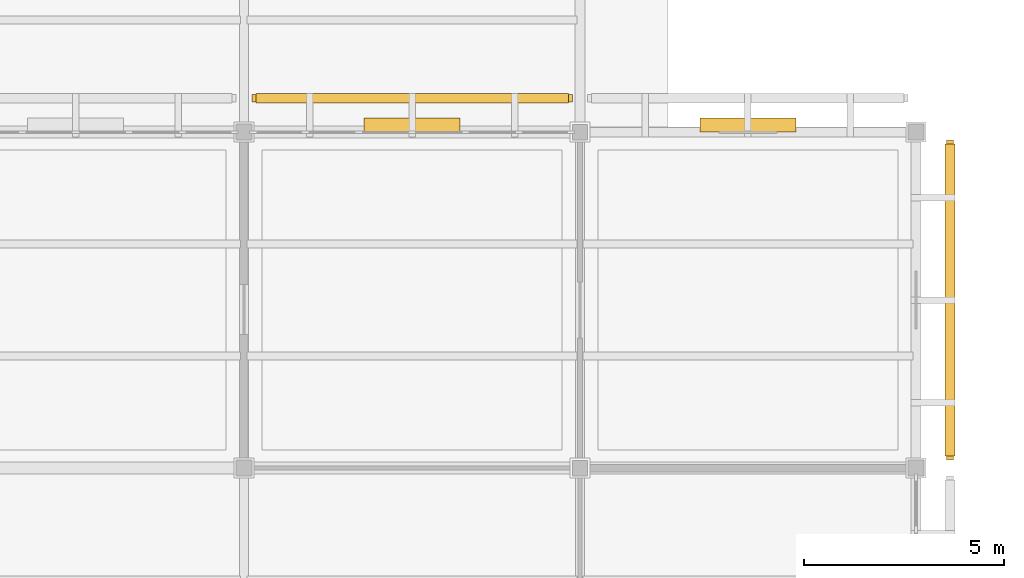
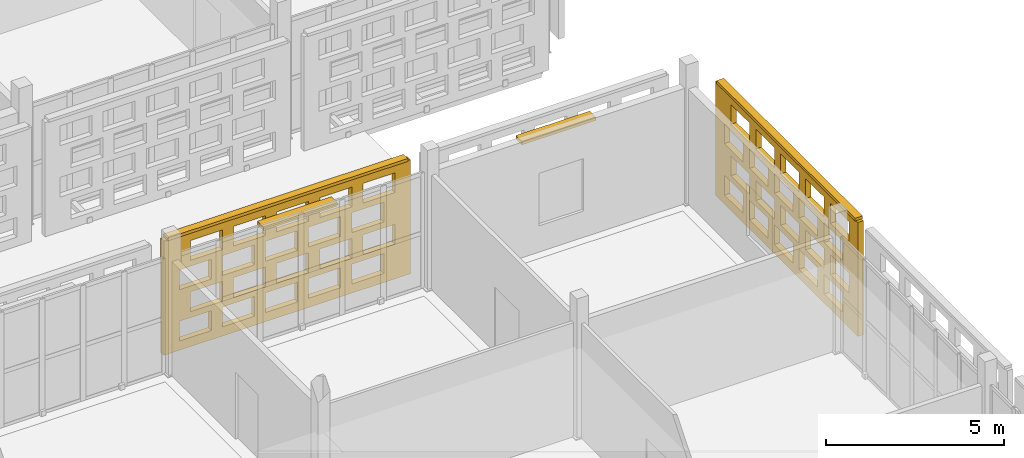
# One storey, part 193 of 203: 4 shading devices, 2 coverings, 40 openings.
"""IFC4 building model written with IfcOpenShell, lengths in metres."""

from ifc_helpers import new_model, si_unit, direction, frame, frame_2d, origin, origin_2d, place, context, subcontext, project, spatial, rectangle, extrude, material, layer, layer_set, type_object, element, save


model = new_model("IFC4")

# Units and contexts
model_context = context("Model", 3, precision=1e-05, world=origin(), true_north=direction((0.0, 1.0)))
body_context = subcontext(model_context, "Body", "Model", "MODEL_VIEW")
ifc_project = project(units=[si_unit("LENGTHUNIT", "METRE"), si_unit("AREAUNIT", "SQUARE_METRE"), si_unit("VOLUMEUNIT", "CUBIC_METRE"), si_unit("PLANEANGLEUNIT", "RADIAN"), si_unit("MASSUNIT", "GRAM", prefix="KILO")], contexts=[model_context])

# Site, building, storey
site_placement = place(None, origin())
site = spatial("IfcSite", under=ifc_project, at=site_placement, CompositionType="ELEMENT")
building_placement = place(site_placement, origin())
building = spatial("IfcBuilding", under=site, at=building_placement, Name="Varnapada Polytechnic", CompositionType="ELEMENT")
storey_placement = place(building_placement, frame((0.0, 0.0, 4.800048828125)))
storey = spatial("IfcBuildingStorey", under=building, at=storey_placement, Name="L01", CompositionType="ELEMENT", Elevation=4.800048828125)

# Shading devices
ifc_material_1 = material(Name="Anodised aluminium", Category="aluminium")
ifc_layer_1 = layer(ifc_material_1, 0.35009765625)
ifc_layer_set_1 = layer_set([ifc_layer_1], Name="Anodised aluminium")
shading_device_type_1 = type_object("IfcShadingDeviceType", Name="Solar Louvre LVR-01", PredefinedType="JALOUSIE", material=ifc_layer_set_1)
for number, where, z_axis, x_axis, name in (
    (1, (163.804931640625, 50.580078125, 3.760009765625), (0.0, 0.0, 1.0), (1.0, 0.0, 0.0), "L01 aluminium sun louvre 133"),
    (2, (172.195068359375, 50.580078125, 3.760009765625), (0.0, 0.0, 1.0), (1.0, 0.0, 0.0), "L01 aluminium sun louvre 142"),
):
    element("IfcShadingDevice", number, at=place(storey_placement, frame(where, z_axis=z_axis, x_axis=x_axis)), inside=storey, type_object=shading_device_type_1, Name=name, PredefinedType="JALOUSIE", context=body_context, shape_type="SweptSolid", body=[
        extrude(rectangle(XDim=2.39990234375, YDim=0.340087890625, at=origin_2d()), origin(), (0.0, 0.0, 1.0), 0.1201171875),
    ])

# Covering, openings
ifc_material_2 = material(Name="Earth-toned architectural terracotta screen block", Category="masonry")
ifc_layer_2 = layer(ifc_material_2, 0.1201171875)
ifc_layer_set_2 = layer_set([ifc_layer_2], Name="Earth-toned architectural terracotta screen block")
covering_type = type_object("IfcCoveringType", Name="Terracotta Screen Cladding CLD-01", PredefinedType="CLADDING", material=ifc_layer_set_2)
covering_1_placement = place(storey_placement, frame((159.800048828125, 51.25, 0.0), z_axis=(0.0, 0.0, 1.0), x_axis=(1.0, 0.0, 0.0)))
covering_1 = element("IfcCovering", 3, at=covering_1_placement, inside=storey, type_object=covering_type, Name="L01 perforated terracotta block screen (133)", PredefinedType="CLADDING", context=body_context, shape_type="SweptSolid", body=[
    extrude(rectangle(XDim=8.010009765625, YDim=0.179931640625, at=frame_2d((4.0048828125, 0.0))), origin(), (0.0, 0.0, 1.0), 3.919921875),
])
opening_1_placement = place(covering_1_placement, frame((0.5048828125, 0.0, 0.313720703125)))
element("IfcOpeningElement", 4, at=opening_1_placement, cuts=covering_1, Name="Screen perforation TBS-L01-132.1", PredefinedType="OPENING", context=body_context, shape_type="SweptSolid", body=[
    extrude(rectangle(XDim=1.0400390625, YDim=0.679931640625, at=frame_2d((0.52001953125, 0.33984375))), frame((0.0, 0.099853515625, 0.0), z_axis=(0.0, -1.0, 0.0), x_axis=(1.0, 0.0, 0.0)), (0.0, 0.0, 1.0), 0.199951171875),
])
opening_2_placement = place(covering_1_placement, frame((1.905029296875, 0.0, 0.313720703125)))
element("IfcOpeningElement", 5, at=opening_2_placement, cuts=covering_1, Name="Screen perforation TBS-L01-132.2", PredefinedType="OPENING", context=body_context, shape_type="SweptSolid", body=[
    extrude(rectangle(XDim=1.0400390625, YDim=0.679931640625, at=frame_2d((0.52001953125, 0.33984375))), frame((0.0, 0.099853515625, 0.0), z_axis=(0.0, -1.0, 0.0), x_axis=(1.0, 0.0, 0.0)), (0.0, 0.0, 1.0), 0.199951171875),
])
opening_3_placement = place(covering_1_placement, frame((3.304931640625, 0.0, 0.313720703125)))
element("IfcOpeningElement", 6, at=opening_3_placement, cuts=covering_1, Name="Screen perforation TBS-L01-132.3", PredefinedType="OPENING", context=body_context, shape_type="SweptSolid", body=[
    extrude(rectangle(XDim=1.0400390625, YDim=0.679931640625, at=frame_2d((0.52001953125, 0.33984375))), frame((0.0, 0.099853515625, 0.0), z_axis=(0.0, -1.0, 0.0), x_axis=(1.0, 0.0, 0.0)), (0.0, 0.0, 1.0), 0.199951171875),
])
opening_4_placement = place(covering_1_placement, frame((4.705078125, 0.0, 0.313720703125)))
element("IfcOpeningElement", 7, at=opening_4_placement, cuts=covering_1, Name="Screen perforation TBS-L01-132.4", PredefinedType="OPENING", context=body_context, shape_type="SweptSolid", body=[
    extrude(rectangle(XDim=1.0400390625, YDim=0.679931640625, at=frame_2d((0.52001953125, 0.33984375))), frame((0.0, 0.099853515625, 0.0), z_axis=(0.0, -1.0, 0.0), x_axis=(1.0, 0.0, 0.0)), (0.0, 0.0, 1.0), 0.199951171875),
])
opening_5_placement = place(covering_1_placement, frame((6.10498046875, 0.0, 0.313720703125)))
element("IfcOpeningElement", 8, at=opening_5_placement, cuts=covering_1, Name="Screen perforation TBS-L01-132.5", PredefinedType="OPENING", context=body_context, shape_type="SweptSolid", body=[
    extrude(rectangle(XDim=1.0400390625, YDim=0.679931640625, at=frame_2d((0.52001953125, 0.33984375))), frame((0.0, 0.099853515625, 0.0), z_axis=(0.0, -1.0, 0.0), x_axis=(1.0, 0.0, 0.0)), (0.0, 0.0, 1.0), 0.199951171875),
])
opening_6_placement = place(covering_1_placement, frame((0.864990234375, 0.0, 1.195556640625)))
element("IfcOpeningElement", 9, at=opening_6_placement, cuts=covering_1, Name="Screen perforation TBS-L01-132.6", PredefinedType="OPENING", context=body_context, shape_type="SweptSolid", body=[
    extrude(rectangle(XDim=1.0400390625, YDim=0.679931640625, at=frame_2d((0.52001953125, 0.33984375))), frame((0.0, 0.099853515625, 0.0), z_axis=(0.0, -1.0, 0.0), x_axis=(1.0, 0.0, 0.0)), (0.0, 0.0, 1.0), 0.199951171875),
])
opening_7_placement = place(covering_1_placement, frame((2.264892578125, 0.0, 1.195556640625)))
element("IfcOpeningElement", 10, at=opening_7_placement, cuts=covering_1, Name="Screen perforation TBS-L01-132.7", PredefinedType="OPENING", context=body_context, shape_type="SweptSolid", body=[
    extrude(rectangle(XDim=1.0400390625, YDim=0.679931640625, at=frame_2d((0.52001953125, 0.33984375))), frame((0.0, 0.099853515625, 0.0), z_axis=(0.0, -1.0, 0.0), x_axis=(1.0, 0.0, 0.0)), (0.0, 0.0, 1.0), 0.199951171875),
])
opening_8_placement = place(covering_1_placement, frame((3.6650390625, 0.0, 1.195556640625)))
element("IfcOpeningElement", 11, at=opening_8_placement, cuts=covering_1, Name="Screen perforation TBS-L01-132.8", PredefinedType="OPENING", context=body_context, shape_type="SweptSolid", body=[
    extrude(rectangle(XDim=1.0400390625, YDim=0.679931640625, at=frame_2d((0.52001953125, 0.33984375))), frame((0.0, 0.099853515625, 0.0), z_axis=(0.0, -1.0, 0.0), x_axis=(1.0, 0.0, 0.0)), (0.0, 0.0, 1.0), 0.199951171875),
])
opening_9_placement = place(covering_1_placement, frame((5.06494140625, 0.0, 1.195556640625)))
element("IfcOpeningElement", 12, at=opening_9_placement, cuts=covering_1, Name="Screen perforation TBS-L01-132.9", PredefinedType="OPENING", context=body_context, shape_type="SweptSolid", body=[
    extrude(rectangle(XDim=1.0400390625, YDim=0.679931640625, at=frame_2d((0.52001953125, 0.33984375))), frame((0.0, 0.099853515625, 0.0), z_axis=(0.0, -1.0, 0.0), x_axis=(1.0, 0.0, 0.0)), (0.0, 0.0, 1.0), 0.199951171875),
])
opening_10_placement = place(covering_1_placement, frame((6.465087890625, 0.0, 1.195556640625)))
element("IfcOpeningElement", 13, at=opening_10_placement, cuts=covering_1, Name="Screen perforation TBS-L01-132.10", PredefinedType="OPENING", context=body_context, shape_type="SweptSolid", body=[
    extrude(rectangle(XDim=1.0400390625, YDim=0.679931640625, at=frame_2d((0.52001953125, 0.33984375))), frame((0.0, 0.099853515625, 0.0), z_axis=(0.0, -1.0, 0.0), x_axis=(1.0, 0.0, 0.0)), (0.0, 0.0, 1.0), 0.199951171875),
])
opening_11_placement = place(covering_1_placement, frame((0.5048828125, 0.0, 2.07763671875)))
element("IfcOpeningElement", 14, at=opening_11_placement, cuts=covering_1, Name="Screen perforation TBS-L01-132.11", PredefinedType="OPENING", context=body_context, shape_type="SweptSolid", body=[
    extrude(rectangle(XDim=1.0400390625, YDim=0.679931640625, at=frame_2d((0.52001953125, 0.33984375))), frame((0.0, 0.099853515625, 0.0), z_axis=(0.0, -1.0, 0.0), x_axis=(1.0, 0.0, 0.0)), (0.0, 0.0, 1.0), 0.199951171875),
])
opening_12_placement = place(covering_1_placement, frame((1.905029296875, 0.0, 2.07763671875)))
element("IfcOpeningElement", 15, at=opening_12_placement, cuts=covering_1, Name="Screen perforation TBS-L01-132.12", PredefinedType="OPENING", context=body_context, shape_type="SweptSolid", body=[
    extrude(rectangle(XDim=1.0400390625, YDim=0.679931640625, at=frame_2d((0.52001953125, 0.33984375))), frame((0.0, 0.099853515625, 0.0), z_axis=(0.0, -1.0, 0.0), x_axis=(1.0, 0.0, 0.0)), (0.0, 0.0, 1.0), 0.199951171875),
])
opening_13_placement = place(covering_1_placement, frame((3.304931640625, 0.0, 2.07763671875)))
element("IfcOpeningElement", 16, at=opening_13_placement, cuts=covering_1, Name="Screen perforation TBS-L01-132.13", PredefinedType="OPENING", context=body_context, shape_type="SweptSolid", body=[
    extrude(rectangle(XDim=1.0400390625, YDim=0.679931640625, at=frame_2d((0.52001953125, 0.33984375))), frame((0.0, 0.099853515625, 0.0), z_axis=(0.0, -1.0, 0.0), x_axis=(1.0, 0.0, 0.0)), (0.0, 0.0, 1.0), 0.199951171875),
])
opening_14_placement = place(covering_1_placement, frame((4.705078125, 0.0, 2.07763671875)))
element("IfcOpeningElement", 17, at=opening_14_placement, cuts=covering_1, Name="Screen perforation TBS-L01-132.14", PredefinedType="OPENING", context=body_context, shape_type="SweptSolid", body=[
    extrude(rectangle(XDim=1.0400390625, YDim=0.679931640625, at=frame_2d((0.52001953125, 0.33984375))), frame((0.0, 0.099853515625, 0.0), z_axis=(0.0, -1.0, 0.0), x_axis=(1.0, 0.0, 0.0)), (0.0, 0.0, 1.0), 0.199951171875),
])
opening_15_placement = place(covering_1_placement, frame((6.10498046875, 0.0, 2.07763671875)))
element("IfcOpeningElement", 18, at=opening_15_placement, cuts=covering_1, Name="Screen perforation TBS-L01-132.15", PredefinedType="OPENING", context=body_context, shape_type="SweptSolid", body=[
    extrude(rectangle(XDim=1.0400390625, YDim=0.679931640625, at=frame_2d((0.52001953125, 0.33984375))), frame((0.0, 0.099853515625, 0.0), z_axis=(0.0, -1.0, 0.0), x_axis=(1.0, 0.0, 0.0)), (0.0, 0.0, 1.0), 0.199951171875),
])
opening_16_placement = place(covering_1_placement, frame((0.864990234375, 0.0, 2.959716796875)))
element("IfcOpeningElement", 19, at=opening_16_placement, cuts=covering_1, Name="Screen perforation TBS-L01-132.16", PredefinedType="OPENING", context=body_context, shape_type="SweptSolid", body=[
    extrude(rectangle(XDim=1.0400390625, YDim=0.679931640625, at=frame_2d((0.52001953125, 0.33984375))), frame((0.0, 0.099853515625, 0.0), z_axis=(0.0, -1.0, 0.0), x_axis=(1.0, 0.0, 0.0)), (0.0, 0.0, 1.0), 0.199951171875),
])
opening_17_placement = place(covering_1_placement, frame((2.264892578125, 0.0, 2.959716796875)))
element("IfcOpeningElement", 20, at=opening_17_placement, cuts=covering_1, Name="Screen perforation TBS-L01-132.17", PredefinedType="OPENING", context=body_context, shape_type="SweptSolid", body=[
    extrude(rectangle(XDim=1.0400390625, YDim=0.679931640625, at=frame_2d((0.52001953125, 0.33984375))), frame((0.0, 0.099853515625, 0.0), z_axis=(0.0, -1.0, 0.0), x_axis=(1.0, 0.0, 0.0)), (0.0, 0.0, 1.0), 0.199951171875),
])
opening_18_placement = place(covering_1_placement, frame((3.6650390625, 0.0, 2.959716796875)))
element("IfcOpeningElement", 21, at=opening_18_placement, cuts=covering_1, Name="Screen perforation TBS-L01-132.18", PredefinedType="OPENING", context=body_context, shape_type="SweptSolid", body=[
    extrude(rectangle(XDim=1.0400390625, YDim=0.679931640625, at=frame_2d((0.52001953125, 0.33984375))), frame((0.0, 0.099853515625, 0.0), z_axis=(0.0, -1.0, 0.0), x_axis=(1.0, 0.0, 0.0)), (0.0, 0.0, 1.0), 0.199951171875),
])
opening_19_placement = place(covering_1_placement, frame((5.06494140625, 0.0, 2.959716796875)))
element("IfcOpeningElement", 22, at=opening_19_placement, cuts=covering_1, Name="Screen perforation TBS-L01-132.19", PredefinedType="OPENING", context=body_context, shape_type="SweptSolid", body=[
    extrude(rectangle(XDim=1.0400390625, YDim=0.679931640625, at=frame_2d((0.52001953125, 0.33984375))), frame((0.0, 0.099853515625, 0.0), z_axis=(0.0, -1.0, 0.0), x_axis=(1.0, 0.0, 0.0)), (0.0, 0.0, 1.0), 0.199951171875),
])
opening_20_placement = place(covering_1_placement, frame((6.465087890625, 0.0, 2.959716796875)))
element("IfcOpeningElement", 23, at=opening_20_placement, cuts=covering_1, Name="Screen perforation TBS-L01-132.20", PredefinedType="OPENING", context=body_context, shape_type="SweptSolid", body=[
    extrude(rectangle(XDim=1.0400390625, YDim=0.679931640625, at=frame_2d((0.52001953125, 0.33984375))), frame((0.0, 0.099853515625, 0.0), z_axis=(0.0, -1.0, 0.0), x_axis=(1.0, 0.0, 0.0)), (0.0, 0.0, 1.0), 0.199951171875),
])

covering_2_placement = place(storey_placement, frame((177.25, 50.199951171875, 0.0), z_axis=(0.0, 0.0, 1.0), x_axis=(0.0, -1.0, 0.0)))
covering_2 = element("IfcCovering", 24, at=covering_2_placement, inside=storey, type_object=covering_type, Name="L01 perforated terracotta block screen (143)", PredefinedType="CLADDING", context=body_context, shape_type="SweptSolid", body=[
    extrude(rectangle(XDim=8.0, YDim=0.179931640625, at=frame_2d((4.0, 0.0))), origin(), (0.0, 0.0, 1.0), 3.919921875),
])
opening_21_placement = place(covering_2_placement, frame((0.5, 0.0, 0.313720703125)))
element("IfcOpeningElement", 25, at=opening_21_placement, cuts=covering_2, Name="Screen perforation TBS-L01-142.1", PredefinedType="OPENING", context=body_context, shape_type="SweptSolid", body=[
    extrude(rectangle(XDim=1.0400390625, YDim=0.679931640625, at=frame_2d((0.52001953125, 0.33984375))), frame((0.0, 0.099853515625, 0.0), z_axis=(0.0, -1.0, 0.0), x_axis=(1.0, 0.0, 0.0)), (0.0, 0.0, 1.0), 0.199951171875),
])
opening_22_placement = place(covering_2_placement, frame((1.89990234375, 0.0, 0.313720703125)))
element("IfcOpeningElement", 26, at=opening_22_placement, cuts=covering_2, Name="Screen perforation TBS-L01-142.2", PredefinedType="OPENING", context=body_context, shape_type="SweptSolid", body=[
    extrude(rectangle(XDim=1.0400390625, YDim=0.679931640625, at=frame_2d((0.52001953125, 0.33984375))), frame((0.0, 0.099853515625, 0.0), z_axis=(0.0, -1.0, 0.0), x_axis=(1.0, 0.0, 0.0)), (0.0, 0.0, 1.0), 0.199951171875),
])
opening_23_placement = place(covering_2_placement, frame((3.300048828125, 0.0, 0.313720703125)))
element("IfcOpeningElement", 27, at=opening_23_placement, cuts=covering_2, Name="Screen perforation TBS-L01-142.3", PredefinedType="OPENING", context=body_context, shape_type="SweptSolid", body=[
    extrude(rectangle(XDim=1.0400390625, YDim=0.679931640625, at=frame_2d((0.52001953125, 0.33984375))), frame((0.0, 0.099853515625, 0.0), z_axis=(0.0, -1.0, 0.0), x_axis=(1.0, 0.0, 0.0)), (0.0, 0.0, 1.0), 0.199951171875),
])
opening_24_placement = place(covering_2_placement, frame((4.699951171875, 0.0, 0.313720703125)))
element("IfcOpeningElement", 28, at=opening_24_placement, cuts=covering_2, Name="Screen perforation TBS-L01-142.4", PredefinedType="OPENING", context=body_context, shape_type="SweptSolid", body=[
    extrude(rectangle(XDim=1.0400390625, YDim=0.679931640625, at=frame_2d((0.52001953125, 0.33984375))), frame((0.0, 0.099853515625, 0.0), z_axis=(0.0, -1.0, 0.0), x_axis=(1.0, 0.0, 0.0)), (0.0, 0.0, 1.0), 0.199951171875),
])
opening_25_placement = place(covering_2_placement, frame((6.10009765625, 0.0, 0.313720703125)))
element("IfcOpeningElement", 29, at=opening_25_placement, cuts=covering_2, Name="Screen perforation TBS-L01-142.5", PredefinedType="OPENING", context=body_context, shape_type="SweptSolid", body=[
    extrude(rectangle(XDim=1.0400390625, YDim=0.679931640625, at=frame_2d((0.52001953125, 0.33984375))), frame((0.0, 0.099853515625, 0.0), z_axis=(0.0, -1.0, 0.0), x_axis=(1.0, 0.0, 0.0)), (0.0, 0.0, 1.0), 0.199951171875),
])
opening_26_placement = place(covering_2_placement, frame((0.860107421875, 0.0, 1.195556640625)))
element("IfcOpeningElement", 30, at=opening_26_placement, cuts=covering_2, Name="Screen perforation TBS-L01-142.6", PredefinedType="OPENING", context=body_context, shape_type="SweptSolid", body=[
    extrude(rectangle(XDim=1.0400390625, YDim=0.679931640625, at=frame_2d((0.52001953125, 0.33984375))), frame((0.0, 0.099853515625, 0.0), z_axis=(0.0, -1.0, 0.0), x_axis=(1.0, 0.0, 0.0)), (0.0, 0.0, 1.0), 0.199951171875),
])
opening_27_placement = place(covering_2_placement, frame((2.260009765625, 0.0, 1.195556640625)))
element("IfcOpeningElement", 31, at=opening_27_placement, cuts=covering_2, Name="Screen perforation TBS-L01-142.7", PredefinedType="OPENING", context=body_context, shape_type="SweptSolid", body=[
    extrude(rectangle(XDim=1.0400390625, YDim=0.679931640625, at=frame_2d((0.52001953125, 0.33984375))), frame((0.0, 0.099853515625, 0.0), z_axis=(0.0, -1.0, 0.0), x_axis=(1.0, 0.0, 0.0)), (0.0, 0.0, 1.0), 0.199951171875),
])
opening_28_placement = place(covering_2_placement, frame((3.659912109375, 0.0, 1.195556640625)))
element("IfcOpeningElement", 32, at=opening_28_placement, cuts=covering_2, Name="Screen perforation TBS-L01-142.8", PredefinedType="OPENING", context=body_context, shape_type="SweptSolid", body=[
    extrude(rectangle(XDim=1.0400390625, YDim=0.679931640625, at=frame_2d((0.52001953125, 0.33984375))), frame((0.0, 0.099853515625, 0.0), z_axis=(0.0, -1.0, 0.0), x_axis=(1.0, 0.0, 0.0)), (0.0, 0.0, 1.0), 0.199951171875),
])
opening_29_placement = place(covering_2_placement, frame((5.06005859375, 0.0, 1.195556640625)))
element("IfcOpeningElement", 33, at=opening_29_placement, cuts=covering_2, Name="Screen perforation TBS-L01-142.9", PredefinedType="OPENING", context=body_context, shape_type="SweptSolid", body=[
    extrude(rectangle(XDim=1.0400390625, YDim=0.679931640625, at=frame_2d((0.52001953125, 0.33984375))), frame((0.0, 0.099853515625, 0.0), z_axis=(0.0, -1.0, 0.0), x_axis=(1.0, 0.0, 0.0)), (0.0, 0.0, 1.0), 0.199951171875),
])
opening_30_placement = place(covering_2_placement, frame((6.4599609375, 0.0, 1.195556640625)))
element("IfcOpeningElement", 34, at=opening_30_placement, cuts=covering_2, Name="Screen perforation TBS-L01-142.10", PredefinedType="OPENING", context=body_context, shape_type="SweptSolid", body=[
    extrude(rectangle(XDim=1.0400390625, YDim=0.679931640625, at=frame_2d((0.52001953125, 0.33984375))), frame((0.0, 0.099853515625, 0.0), z_axis=(0.0, -1.0, 0.0), x_axis=(1.0, 0.0, 0.0)), (0.0, 0.0, 1.0), 0.199951171875),
])
opening_31_placement = place(covering_2_placement, frame((0.5, 0.0, 2.07763671875)))
element("IfcOpeningElement", 35, at=opening_31_placement, cuts=covering_2, Name="Screen perforation TBS-L01-142.11", PredefinedType="OPENING", context=body_context, shape_type="SweptSolid", body=[
    extrude(rectangle(XDim=1.0400390625, YDim=0.679931640625, at=frame_2d((0.52001953125, 0.33984375))), frame((0.0, 0.099853515625, 0.0), z_axis=(0.0, -1.0, 0.0), x_axis=(1.0, 0.0, 0.0)), (0.0, 0.0, 1.0), 0.199951171875),
])
opening_32_placement = place(covering_2_placement, frame((1.89990234375, 0.0, 2.07763671875)))
element("IfcOpeningElement", 36, at=opening_32_placement, cuts=covering_2, Name="Screen perforation TBS-L01-142.12", PredefinedType="OPENING", context=body_context, shape_type="SweptSolid", body=[
    extrude(rectangle(XDim=1.0400390625, YDim=0.679931640625, at=frame_2d((0.52001953125, 0.33984375))), frame((0.0, 0.099853515625, 0.0), z_axis=(0.0, -1.0, 0.0), x_axis=(1.0, 0.0, 0.0)), (0.0, 0.0, 1.0), 0.199951171875),
])
opening_33_placement = place(covering_2_placement, frame((3.300048828125, 0.0, 2.07763671875)))
element("IfcOpeningElement", 37, at=opening_33_placement, cuts=covering_2, Name="Screen perforation TBS-L01-142.13", PredefinedType="OPENING", context=body_context, shape_type="SweptSolid", body=[
    extrude(rectangle(XDim=1.0400390625, YDim=0.679931640625, at=frame_2d((0.52001953125, 0.33984375))), frame((0.0, 0.099853515625, 0.0), z_axis=(0.0, -1.0, 0.0), x_axis=(1.0, 0.0, 0.0)), (0.0, 0.0, 1.0), 0.199951171875),
])
opening_34_placement = place(covering_2_placement, frame((4.699951171875, 0.0, 2.07763671875)))
element("IfcOpeningElement", 38, at=opening_34_placement, cuts=covering_2, Name="Screen perforation TBS-L01-142.14", PredefinedType="OPENING", context=body_context, shape_type="SweptSolid", body=[
    extrude(rectangle(XDim=1.0400390625, YDim=0.679931640625, at=frame_2d((0.52001953125, 0.33984375))), frame((0.0, 0.099853515625, 0.0), z_axis=(0.0, -1.0, 0.0), x_axis=(1.0, 0.0, 0.0)), (0.0, 0.0, 1.0), 0.199951171875),
])
opening_35_placement = place(covering_2_placement, frame((6.10009765625, 0.0, 2.07763671875)))
element("IfcOpeningElement", 39, at=opening_35_placement, cuts=covering_2, Name="Screen perforation TBS-L01-142.15", PredefinedType="OPENING", context=body_context, shape_type="SweptSolid", body=[
    extrude(rectangle(XDim=1.0400390625, YDim=0.679931640625, at=frame_2d((0.52001953125, 0.33984375))), frame((0.0, 0.099853515625, 0.0), z_axis=(0.0, -1.0, 0.0), x_axis=(1.0, 0.0, 0.0)), (0.0, 0.0, 1.0), 0.199951171875),
])
opening_36_placement = place(covering_2_placement, frame((0.860107421875, 0.0, 2.959716796875)))
element("IfcOpeningElement", 40, at=opening_36_placement, cuts=covering_2, Name="Screen perforation TBS-L01-142.16", PredefinedType="OPENING", context=body_context, shape_type="SweptSolid", body=[
    extrude(rectangle(XDim=1.0400390625, YDim=0.679931640625, at=frame_2d((0.52001953125, 0.33984375))), frame((0.0, 0.099853515625, 0.0), z_axis=(0.0, -1.0, 0.0), x_axis=(1.0, 0.0, 0.0)), (0.0, 0.0, 1.0), 0.199951171875),
])
opening_37_placement = place(covering_2_placement, frame((2.260009765625, 0.0, 2.959716796875)))
element("IfcOpeningElement", 41, at=opening_37_placement, cuts=covering_2, Name="Screen perforation TBS-L01-142.17", PredefinedType="OPENING", context=body_context, shape_type="SweptSolid", body=[
    extrude(rectangle(XDim=1.0400390625, YDim=0.679931640625, at=frame_2d((0.52001953125, 0.33984375))), frame((0.0, 0.099853515625, 0.0), z_axis=(0.0, -1.0, 0.0), x_axis=(1.0, 0.0, 0.0)), (0.0, 0.0, 1.0), 0.199951171875),
])
opening_38_placement = place(covering_2_placement, frame((3.659912109375, 0.0, 2.959716796875)))
element("IfcOpeningElement", 42, at=opening_38_placement, cuts=covering_2, Name="Screen perforation TBS-L01-142.18", PredefinedType="OPENING", context=body_context, shape_type="SweptSolid", body=[
    extrude(rectangle(XDim=1.0400390625, YDim=0.679931640625, at=frame_2d((0.52001953125, 0.33984375))), frame((0.0, 0.099853515625, 0.0), z_axis=(0.0, -1.0, 0.0), x_axis=(1.0, 0.0, 0.0)), (0.0, 0.0, 1.0), 0.199951171875),
])
opening_39_placement = place(covering_2_placement, frame((5.06005859375, 0.0, 2.959716796875)))
element("IfcOpeningElement", 43, at=opening_39_placement, cuts=covering_2, Name="Screen perforation TBS-L01-142.19", PredefinedType="OPENING", context=body_context, shape_type="SweptSolid", body=[
    extrude(rectangle(XDim=1.0400390625, YDim=0.679931640625, at=frame_2d((0.52001953125, 0.33984375))), frame((0.0, 0.099853515625, 0.0), z_axis=(0.0, -1.0, 0.0), x_axis=(1.0, 0.0, 0.0)), (0.0, 0.0, 1.0), 0.199951171875),
])
opening_40_placement = place(covering_2_placement, frame((6.4599609375, 0.0, 2.959716796875)))
element("IfcOpeningElement", 44, at=opening_40_placement, cuts=covering_2, Name="Screen perforation TBS-L01-142.20", PredefinedType="OPENING", context=body_context, shape_type="SweptSolid", body=[
    extrude(rectangle(XDim=1.0400390625, YDim=0.679931640625, at=frame_2d((0.52001953125, 0.33984375))), frame((0.0, 0.099853515625, 0.0), z_axis=(0.0, -1.0, 0.0), x_axis=(1.0, 0.0, 0.0)), (0.0, 0.0, 1.0), 0.199951171875),
])

# Shading devices
ifc_layer_3 = layer(ifc_material_2, 0.179931640625)
ifc_layer_set_3 = layer_set([ifc_layer_3], Name="Earth-toned architectural terracotta screen block")
shading_device_type_2 = type_object("IfcShadingDeviceType", Name="Terracotta Screen SCR-02", PredefinedType="USERDEFINED", material=ifc_layer_set_3)
shading_device_1_placement = place(storey_placement, frame((163.804931640625, 51.25, 3.909912109375), z_axis=(0.0, 0.0, 1.0), x_axis=(1.0, 0.0, 0.0)))
element("IfcShadingDevice", 45, at=shading_device_1_placement, inside=storey, type_object=shading_device_type_2, Name="L01 perforated terracotta screen hood 211", ObjectType="SCREEN", PredefinedType="USERDEFINED", context=body_context, shape_type="SweptSolid", body=[
    extrude(rectangle(XDim=7.81005859375, YDim=0.239990234375, at=origin_2d()), origin(), (0.0, 0.0, 1.0), 0.10009765625),
])
shading_device_2_placement = place(storey_placement, frame((177.25, 46.199951171875, 3.909912109375), z_axis=(0.0, 0.0, 1.0), x_axis=(0.0, -1.0, 0.0)))
element("IfcShadingDevice", 46, at=shading_device_2_placement, inside=storey, type_object=shading_device_type_2, Name="L01 perforated terracotta screen hood 221", ObjectType="SCREEN", PredefinedType="USERDEFINED", context=body_context, shape_type="SweptSolid", body=[
    extrude(rectangle(XDim=7.800048828125, YDim=0.239990234375, at=origin_2d()), origin(), (0.0, 0.0, 1.0), 0.10009765625),
])

save(model, "model.ifc")
